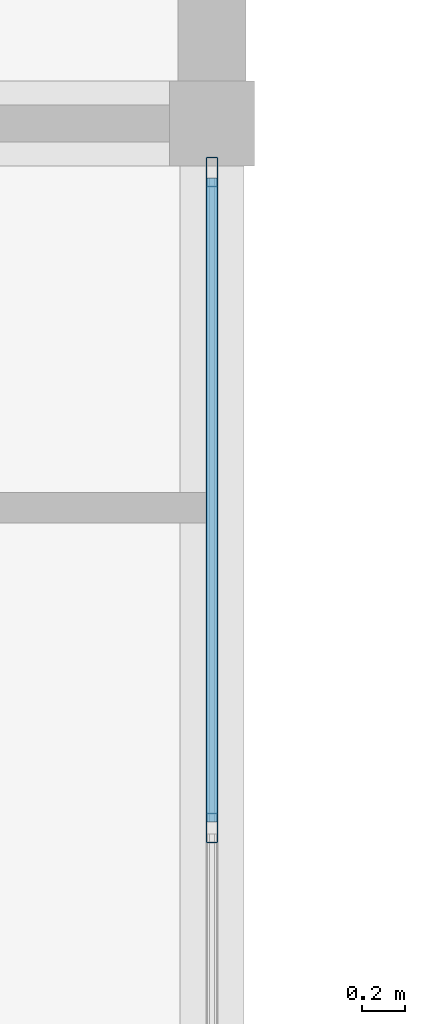
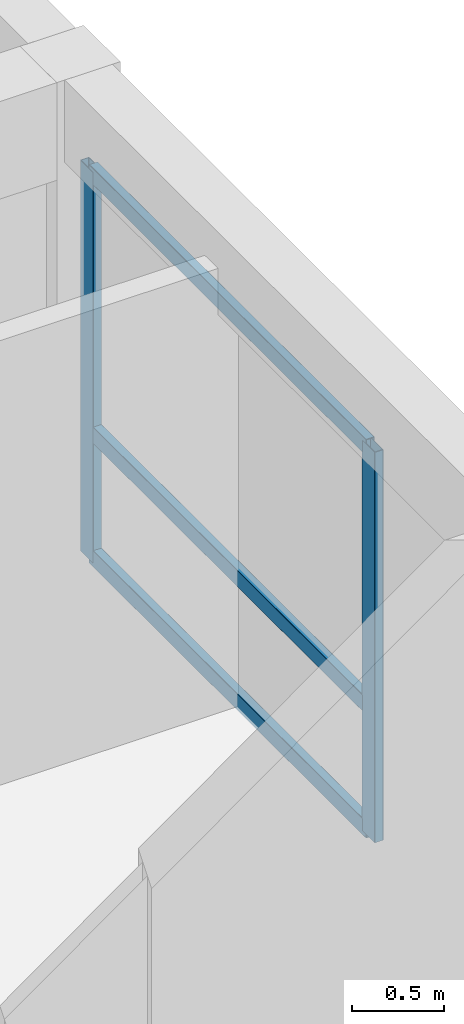
# One storey, part 10 of 45: 5 members, 1 element without a shape of its own.
"""IFC4 building model written with IfcOpenShell, lengths in metres."""

from ifc_helpers import new_model, si_unit, direction, frame, origin, origin_2d, place, context, subcontext, project, spatial, hollow_rectangle, extrude, material, material_profile, profile_set, type_object, element, aggregate, save


model = new_model("IFC4")

# Units and contexts
model_context = context("Model", 3, precision=1e-05, world=origin(), true_north=direction((0.0, 1.0)))
body_context = subcontext(model_context, "Body", "Model", "MODEL_VIEW")
ifc_project = project(units=[si_unit("LENGTHUNIT", "METRE"), si_unit("AREAUNIT", "SQUARE_METRE"), si_unit("VOLUMEUNIT", "CUBIC_METRE"), si_unit("PLANEANGLEUNIT", "RADIAN"), si_unit("MASSUNIT", "GRAM", prefix="KILO")], contexts=[model_context])

# Site, building, storey
site_placement = place(None, origin())
site = spatial("IfcSite", under=ifc_project, at=site_placement, CompositionType="ELEMENT")
building_placement = place(site_placement, origin())
building = spatial("IfcBuilding", under=site, at=building_placement, Name="Kernevlak Ridge Housing Community", CompositionType="ELEMENT")
storey_placement = place(building_placement, frame((0.0, 0.0, 21.199951171875)))
storey = spatial("IfcBuildingStorey", under=building, at=storey_placement, Name="L06", CompositionType="ELEMENT", Elevation=21.199951171875)

# Curtain wall, members
ifc_material_1 = material(Name="Aluminium EN AW-6060 anodised and laminated glass", Category="aluminium")
curtain_wall_type = type_object("IfcCurtainWallType", Name="CW-04", PredefinedType="NOTDEFINED", material=ifc_material_1)
curtain_wall_placement = place(storey_placement, origin())
curtain_wall = element("IfcCurtainWall", 1, at=curtain_wall_placement, inside=storey, type_object=curtain_wall_type, Name="Curtain wall CW-04 CW-L06-159", PredefinedType="NOTDEFINED")
ifc_material_2 = material(Name="Aluminium EN AW-6060 anodised", Category="aluminium")
ifc_material_profile_1 = material_profile(ifc_material_2, hollow_rectangle(XDim=0.054931640625, YDim=0.139892578125, WallThickness=0.00390625, InnerFilletRadius=0.001953125, OuterFilletRadius=0.00390625, at=origin_2d()), Name="ALU 55x140x4")
ifc_profile_set_1 = profile_set([ifc_material_profile_1], Name="Aluminium EN AW-6060 anodised")
member_type_1 = type_object("IfcMemberType", Name="MU-01", PredefinedType="MULLION", material=ifc_profile_set_1)
member_1_placement = place(storey_placement, frame((42.0, 25.5, 0.0), z_axis=(0.0, 0.0, 1.0), x_axis=(-1.0, 0.0, 0.0)))
member_1 = element("IfcMember", 2, at=member_1_placement, type_object=member_type_1, Name="CW-04 mullion 2", PredefinedType="MULLION", context=body_context, shape_type="SweptSolid", body=[
    extrude(hollow_rectangle(XDim=0.054931640625, YDim=0.139892578125, WallThickness=0.00390625, InnerFilletRadius=0.001953125, OuterFilletRadius=0.00390625, at=origin_2d()), origin(), (0.0, 0.0, 1.0), 2.60009765625),
])
member_2_placement = place(storey_placement, frame((42.0, 28.572509765625, 0.0), z_axis=(0.0, 0.0, 1.0), x_axis=(-1.0, 0.0, 0.0)))
member_2 = element("IfcMember", 3, at=member_2_placement, type_object=member_type_1, Name="CW-04 mullion 3", PredefinedType="MULLION", context=body_context, shape_type="SweptSolid", body=[
    extrude(hollow_rectangle(XDim=0.054931640625, YDim=0.139892578125, WallThickness=0.00390625, InnerFilletRadius=0.001953125, OuterFilletRadius=0.00390625, at=origin_2d()), origin(), (0.0, 0.0, 1.0), 2.60009765625),
])
ifc_material_profile_2 = material_profile(ifc_material_2, hollow_rectangle(XDim=0.054931640625, YDim=0.110107421875, WallThickness=0.00390625, InnerFilletRadius=0.001953125, OuterFilletRadius=0.00390625, at=origin_2d()), Name="ALU 55x110x4")
ifc_profile_set_2 = profile_set([ifc_material_profile_2], Name="Aluminium EN AW-6060 anodised")
member_type_2 = type_object("IfcMemberType", Name="TM-01", PredefinedType="USERDEFINED", material=ifc_profile_set_2)
member_3_placement = place(storey_placement, frame((42.0, 25.527587890625, 0.027587890625), z_axis=(0.0, 1.0, 0.0), x_axis=(-1.0, 0.0, 0.0)))
member_3 = element("IfcMember", 4, at=member_3_placement, type_object=member_type_2, Name="CW-04 transom 2.1", ObjectType="TRANSOM", PredefinedType="USERDEFINED", context=body_context, shape_type="SweptSolid", body=[
    extrude(hollow_rectangle(XDim=0.054931640625, YDim=0.110107421875, WallThickness=0.00390625, InnerFilletRadius=0.001953125, OuterFilletRadius=0.00390625, at=origin_2d()), origin(), (0.0, 0.0, 1.0), 3.017333984375),
])
member_4_placement = place(storey_placement, frame((42.0, 25.527587890625, 0.85009765625), z_axis=(0.0, 1.0, 0.0), x_axis=(-1.0, 0.0, 0.0)))
member_4 = element("IfcMember", 5, at=member_4_placement, type_object=member_type_2, Name="CW-04 transom 2.2", ObjectType="TRANSOM", PredefinedType="USERDEFINED", context=body_context, shape_type="SweptSolid", body=[
    extrude(hollow_rectangle(XDim=0.054931640625, YDim=0.110107421875, WallThickness=0.00390625, InnerFilletRadius=0.001953125, OuterFilletRadius=0.00390625, at=origin_2d()), origin(), (0.0, 0.0, 1.0), 3.017333984375),
])
member_5_placement = place(storey_placement, frame((42.0, 25.527587890625, 2.572509765625), z_axis=(0.0, 1.0, 0.0), x_axis=(-1.0, 0.0, 0.0)))
member_5 = element("IfcMember", 6, at=member_5_placement, type_object=member_type_2, Name="CW-04 transom 2.3", ObjectType="TRANSOM", PredefinedType="USERDEFINED", context=body_context, shape_type="SweptSolid", body=[
    extrude(hollow_rectangle(XDim=0.054931640625, YDim=0.110107421875, WallThickness=0.00390625, InnerFilletRadius=0.001953125, OuterFilletRadius=0.00390625, at=origin_2d()), origin(), (0.0, 0.0, 1.0), 3.017333984375),
])
aggregate(curtain_wall, [member_1, member_2, member_3, member_4, member_5])

save(model, "model.ifc")
